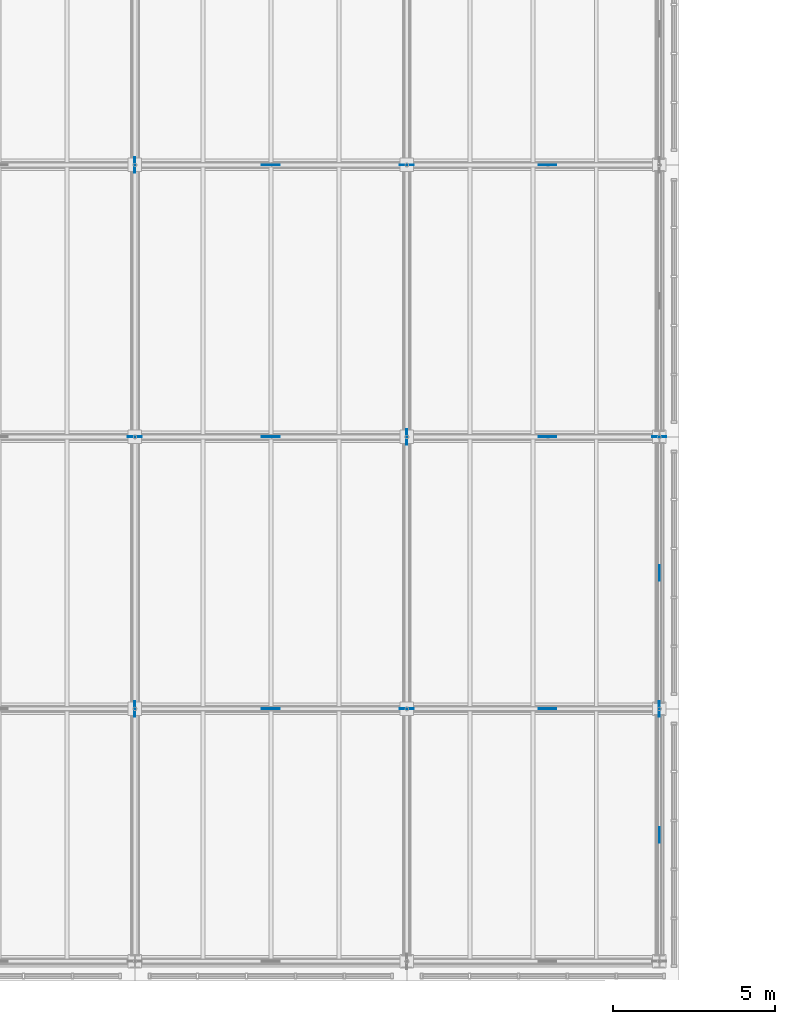
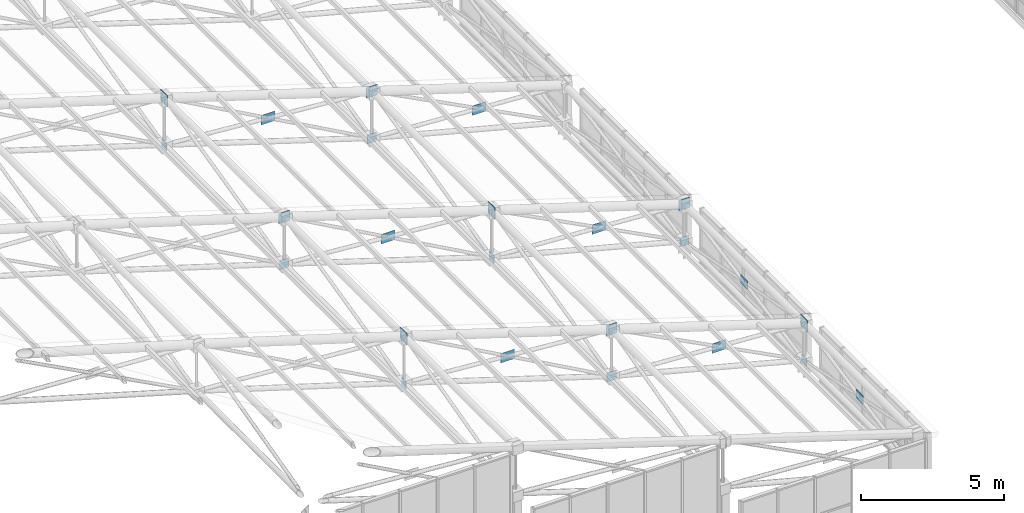
# One storey, part 128 of 144: 24 plates.
"""IFC4 building model written with IfcOpenShell, lengths in metres."""

from ifc_helpers import new_model, si_unit, direction, frame, origin, origin_2d, place, context, subcontext, project, spatial, rectangle, extrude, material, layer, layer_set, type_object, element, save


model = new_model("IFC4")

# Units and contexts
model_context = context("Model", 3, precision=1e-05, world=origin(), true_north=direction((0.0, 1.0)))
body_context = subcontext(model_context, "Body", "Model", "MODEL_VIEW")
ifc_project = project(units=[si_unit("LENGTHUNIT", "METRE"), si_unit("AREAUNIT", "SQUARE_METRE"), si_unit("VOLUMEUNIT", "CUBIC_METRE"), si_unit("PLANEANGLEUNIT", "RADIAN"), si_unit("MASSUNIT", "GRAM", prefix="KILO")], contexts=[model_context])

# Site, building, storey
site_placement = place(None, origin())
site = spatial("IfcSite", under=ifc_project, at=site_placement, CompositionType="ELEMENT")
building_placement = place(site_placement, origin())
building = spatial("IfcBuilding", under=site, at=building_placement, Name="Zayran Congress Hotel", CompositionType="ELEMENT")
storey_placement = place(building_placement, frame((0.0, 0.0, 19.199951171875)))
storey = spatial("IfcBuildingStorey", under=building, at=storey_placement, Name="L04", CompositionType="ELEMENT", Elevation=19.199951171875)

# Plates
ifc_material = material(Name="Steel S355", Category="steel")
ifc_layer_1 = layer(ifc_material, 0.02490234375)
ifc_layer_set_1 = layer_set([ifc_layer_1], Name="Steel S355")
plate_type_1 = type_object("IfcPlateType", Name="TP-SN-CP1", PredefinedType="USERDEFINED", material=ifc_layer_set_1)
for number, where, z_axis, x_axis, name in (
    (1, (75.60009765625, 84.39990234375, 7.08203125), (0.0, 0.0, 1.0), (1.0, 0.0, 0.0), "Space Frame Node Cap Plate 59"),
    (2, (84.0, 76.0, 4.43212890625), (0.0, 0.0, 1.0), (1.0, 0.0, 0.0), "Space Frame Node Cap Plate 65"),
    (3, (84.0, 92.800048828125, 4.43212890625), (0.0, 0.0, 1.0), (1.0, 0.0, 0.0), "Space Frame Node Cap Plate 67"),
    (4, (91.800048828125, 84.39990234375, 1.971435546875), (0.0, 0.0, 1.0), (1.0, 0.0, 0.0), "Space Frame Node Cap Plate 73"),
):
    element("IfcPlate", number, at=place(storey_placement, frame(where, z_axis=z_axis, x_axis=x_axis)), inside=storey, type_object=plate_type_1, Name=name, ObjectType="GUSSET_PLATE", PredefinedType="USERDEFINED", context=body_context, shape_type="SweptSolid", body=[
        extrude(rectangle(XDim=0.43994140625, YDim=0.02490234375, at=origin_2d()), origin(), (0.0, 0.0, 1.0), 0.43994140625),
    ])
ifc_layer_2 = layer(ifc_material, 0.02490234375)
ifc_layer_set_2 = layer_set([ifc_layer_2], Name="Steel S355")
plate_type_2 = type_object("IfcPlateType", Name="TP-SN-CP2", PredefinedType="USERDEFINED", material=ifc_layer_set_2)
for number, where, z_axis, x_axis, name in (
    (5, (75.60009765625, 84.39990234375, 5.110107421875), (0.0, 0.0, 1.0), (1.0, 0.0, 0.0), "Space Frame Node Cap Plate 136"),
    (6, (84.0, 76.0, 2.460205078125), (0.0, 0.0, 1.0), (1.0, 0.0, 0.0), "Space Frame Node Cap Plate 142"),
    (7, (84.0, 92.800048828125, 2.460205078125), (0.0, 0.0, 1.0), (1.0, 0.0, 0.0), "Space Frame Node Cap Plate 144"),
    (8, (91.800048828125, 84.39990234375, 0.41015625), (0.0, 0.0, 1.0), (1.0, 0.0, 0.0), "Space Frame Node Cap Plate 150"),
):
    element("IfcPlate", number, at=place(storey_placement, frame(where, z_axis=z_axis, x_axis=x_axis)), inside=storey, type_object=plate_type_2, Name=name, ObjectType="GUSSET_PLATE", PredefinedType="USERDEFINED", context=body_context, shape_type="SweptSolid", body=[
        extrude(rectangle(XDim=0.3798828125, YDim=0.02490234375, at=origin_2d()), origin(), (0.0, 0.0, 1.0), 0.3798828125),
    ])
ifc_layer_3 = layer(ifc_material, 0.02001953125)
ifc_layer_set_3 = layer_set([ifc_layer_3], Name="Steel S355")
plate_type_3 = type_object("IfcPlateType", Name="TP-SN-CP3", PredefinedType="USERDEFINED", material=ifc_layer_set_3)
for number, where, z_axis, x_axis, name in (
    (9, (75.60009765625, 76.0, 5.1298828125), (0.0, 0.0, 1.0), (0.0, 1.0, 0.0), "Space Frame Node Cap Plate 135"),
    (10, (75.60009765625, 92.800048828125, 5.1298828125), (0.0, 0.0, 1.0), (0.0, 1.0, 0.0), "Space Frame Node Cap Plate 137"),
    (11, (84.0, 84.39990234375, 2.47998046875), (0.0, 0.0, 1.0), (0.0, 1.0, 0.0), "Space Frame Node Cap Plate 143"),
    (12, (91.800048828125, 76.0, 0.43017578125), (0.0, 0.0, 1.0), (0.0, 1.0, 0.0), "Space Frame Node Cap Plate 149"),
):
    element("IfcPlate", number, at=place(storey_placement, frame(where, z_axis=z_axis, x_axis=x_axis)), inside=storey, type_object=plate_type_3, Name=name, ObjectType="GUSSET_PLATE", PredefinedType="USERDEFINED", context=body_context, shape_type="SweptSolid", body=[
        extrude(rectangle(XDim=0.340087890625, YDim=0.02001953125, at=origin_2d()), origin(), (0.0, 0.0, 1.0), 0.340087890625),
    ])
ifc_layer_4 = layer(ifc_material, 0.028076171875)
ifc_layer_set_4 = layer_set([ifc_layer_4], Name="Steel S355")
plate_type_4 = type_object("IfcPlateType", Name="TP-SN-CP4", PredefinedType="USERDEFINED", material=ifc_layer_set_4)
for number, where, z_axis, x_axis, name in (
    (13, (75.60009765625, 76.0, 7.06201171875), (0.0, 0.0, 1.0), (0.0, 1.0, 0.0), "Space Frame Node Cap Plate 58"),
    (14, (75.60009765625, 92.800048828125, 7.06201171875), (0.0, 0.0, 1.0), (0.0, 1.0, 0.0), "Space Frame Node Cap Plate 60"),
    (15, (84.0, 84.39990234375, 4.412109375), (0.0, 0.0, 1.0), (0.0, 1.0, 0.0), "Space Frame Node Cap Plate 66"),
    (16, (91.800048828125, 76.0, 1.951416015625), (0.0, 0.0, 1.0), (0.0, 1.0, 0.0), "Space Frame Node Cap Plate 72"),
):
    element("IfcPlate", number, at=place(storey_placement, frame(where, z_axis=z_axis, x_axis=x_axis)), inside=storey, type_object=plate_type_4, Name=name, ObjectType="GUSSET_PLATE", PredefinedType="USERDEFINED", context=body_context, shape_type="SweptSolid", body=[
        extrude(rectangle(XDim=0.47998046875, YDim=0.028076171875, at=origin_2d()), origin(), (0.0, 0.0, 1.0), 0.47998046875),
    ])
ifc_layer_5 = layer(ifc_material, 0.02490234375)
ifc_layer_set_5 = layer_set([ifc_layer_5], Name="Steel S355")
plate_type_5 = type_object("IfcPlateType", Name="TP-GS-01", PredefinedType="USERDEFINED", material=ifc_layer_set_5)
for number, where, z_axis, x_axis, name in (
    (17, (79.800048828125, 76.0, 4.776123046875), (0.0, 0.0, 1.0), (1.0, 0.0, 0.0), "V1 Brace Crossing Gusset Plate 70"),
    (18, (79.800048828125, 84.39990234375, 4.776123046875), (0.0, 0.0, 1.0), (1.0, 0.0, 0.0), "V1 Brace Crossing Gusset Plate 71"),
    (19, (79.800048828125, 92.800048828125, 4.776123046875), (0.0, 0.0, 1.0), (1.0, 0.0, 0.0), "V1 Brace Crossing Gusset Plate 72"),
    (20, (88.345703125, 76.0, 2.194580078125), (0.0, 0.0, 1.0), (1.0, 0.0, 0.0), "V1 Brace Crossing Gusset Plate 77"),
    (21, (88.345703125, 84.39990234375, 2.194580078125), (0.0, 0.0, 1.0), (1.0, 0.0, 0.0), "V1 Brace Crossing Gusset Plate 78"),
    (22, (88.345703125, 92.800048828125, 2.194580078125), (0.0, 0.0, 1.0), (1.0, 0.0, 0.0), "V1 Brace Crossing Gusset Plate 79"),
):
    element("IfcPlate", number, at=place(storey_placement, frame(where, z_axis=z_axis, x_axis=x_axis)), inside=storey, type_object=plate_type_5, Name=name, ObjectType="GUSSET_PLATE", PredefinedType="USERDEFINED", context=body_context, shape_type="SweptSolid", body=[
        extrude(rectangle(XDim=0.550048828125, YDim=0.02490234375, at=origin_2d()), origin(), (0.0, 0.0, 1.0), 0.39990234375),
    ])
ifc_layer_6 = layer(ifc_material, 0.02001953125)
ifc_layer_set_6 = layer_set([ifc_layer_6], Name="Steel S355")
plate_type_6 = type_object("IfcPlateType", Name="TP-GS-02", PredefinedType="USERDEFINED", material=ifc_layer_set_6)
for number, where, z_axis, x_axis, name in (
    (23, (91.800048828125, 72.10009765625, 1.2158203125), (0.0, 0.0, 1.0), (0.0, 1.0, 0.0), "V1 Brace Crossing Gusset Plate 83"),
    (24, (91.800048828125, 80.199951171875, 1.2158203125), (0.0, 0.0, 1.0), (0.0, 1.0, 0.0), "V1 Brace Crossing Gusset Plate 84"),
):
    element("IfcPlate", number, at=place(storey_placement, frame(where, z_axis=z_axis, x_axis=x_axis)), inside=storey, type_object=plate_type_6, Name=name, ObjectType="GUSSET_PLATE", PredefinedType="USERDEFINED", context=body_context, shape_type="SweptSolid", body=[
        extrude(rectangle(XDim=0.47998046875, YDim=0.02001953125, at=origin_2d()), origin(), (0.0, 0.0, 1.0), 0.360107421875),
    ])

save(model, "model.ifc")
